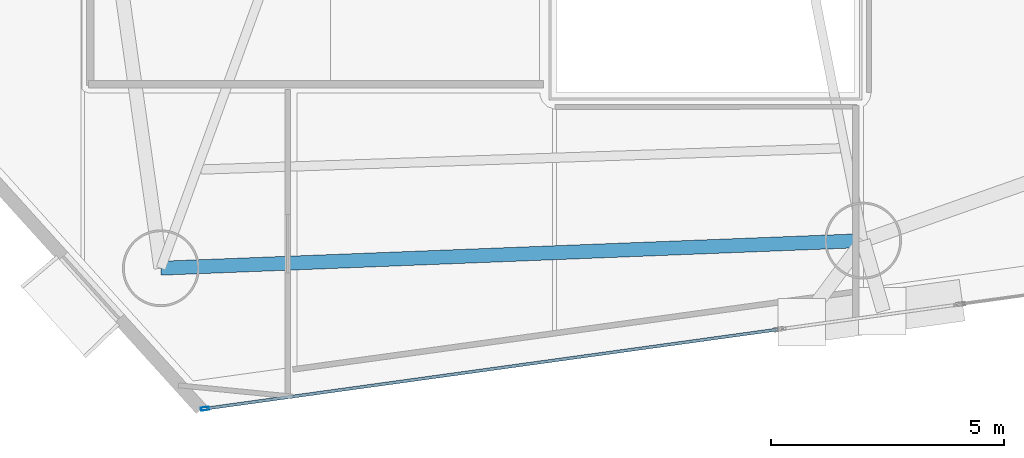
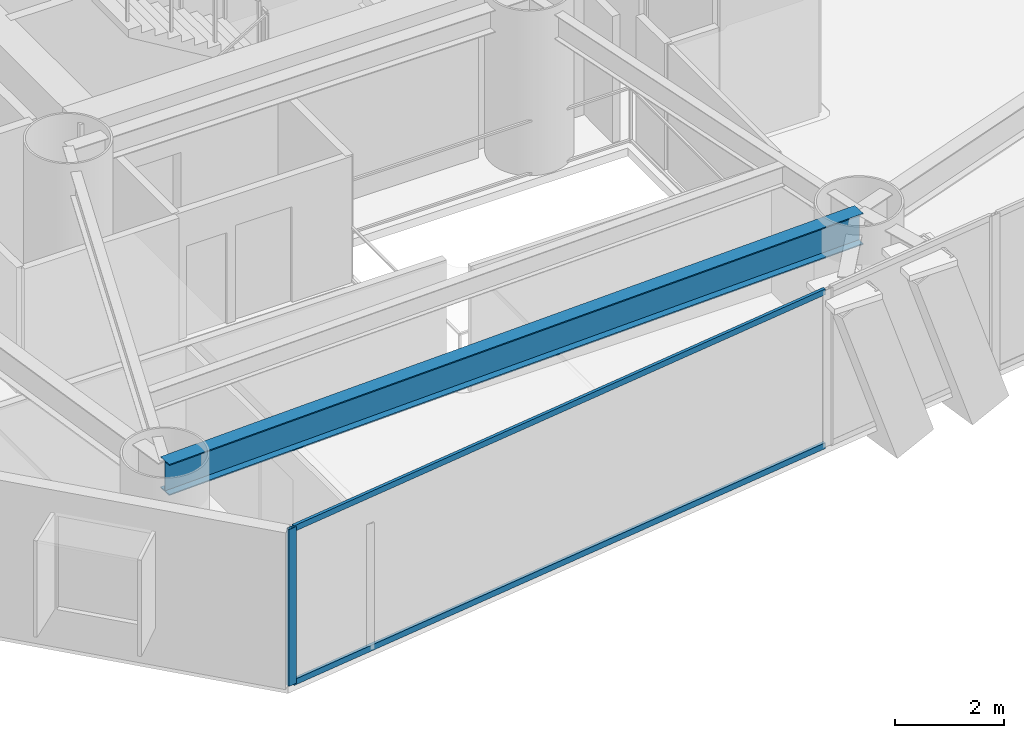
# One storey, part 2 of 23: 3 members, 1 beam, 1 element without a shape of its own.
"""IFC4 building model written with IfcOpenShell, lengths in metres."""

from ifc_helpers import new_model, si_unit, direction, frame, origin, origin_2d, place, context, subcontext, project, spatial, hollow_rectangle, i_section, extrude, material, layer, layer_set, material_profile, profile_set, type_object, element, aggregate, save


model = new_model("IFC4")

# Units and contexts
model_context = context("Model", 3, precision=1e-05, world=origin(), true_north=direction((0.0, 1.0)))
body_context = subcontext(model_context, "Body", "Model", "MODEL_VIEW")
ifc_project = project(units=[si_unit("LENGTHUNIT", "METRE"), si_unit("AREAUNIT", "SQUARE_METRE"), si_unit("VOLUMEUNIT", "CUBIC_METRE"), si_unit("PLANEANGLEUNIT", "RADIAN"), si_unit("MASSUNIT", "GRAM", prefix="KILO")], contexts=[model_context])

# Site, building, storey
site_placement = place(None, origin())
site = spatial("IfcSite", under=ifc_project, at=site_placement, CompositionType="ELEMENT")
building_placement = place(site_placement, origin())
building = spatial("IfcBuilding", under=site, at=building_placement, Name="Qianvela Tower", CompositionType="ELEMENT")
storey_placement = place(building_placement, frame((0.0, 0.0, 74.699951171875)))
storey = spatial("IfcBuildingStorey", under=building, at=storey_placement, Name="L18", CompositionType="ELEMENT", Elevation=74.699951171875)

# Beam
ifc_material_1 = material(Name="Steel Q355B", Category="steel")
ifc_material_profile_1 = material_profile(ifc_material_1, i_section(OverallWidth=0.300048828125, OverallDepth=0.699951171875, WebThickness=0.012939453125, FlangeThickness=0.02392578125, at=origin_2d()), Name="HN700x300x13x24")
ifc_profile_set_1 = profile_set([ifc_material_profile_1], Name="Steel Q355B")
beam_type = type_object("IfcBeamType", Name="BM-HN700-SPAND", PredefinedType="SPANDREL", material=ifc_profile_set_1)
beam_placement = place(storey_placement, frame((25.10009765625, 14.22509765625, 3.16796875), z_axis=(0.999226043345, 0.039335916178, 0.0), x_axis=(-0.039335916178, 0.999226043345, 0.0)))
element("IfcBeam", 1, at=beam_placement, inside=storey, type_object=beam_type, Name="L18 Perimeter Ring Spandrel Girder 5", PredefinedType="SPANDREL", context=body_context, shape_type="SweptSolid", body=[
    extrude(i_section(OverallWidth=0.300048828125, OverallDepth=0.699951171875, WebThickness=0.012939453125, FlangeThickness=0.02392578125, at=origin_2d()), origin(), (0.0, 0.0, 1.0), 15.1005859375),
])

# Curtain wall, members
ifc_material_2 = material(Name="Anodised Architectural Aluminium and Low-E Glass", Category="aluminium")
ifc_layer = layer(ifc_material_2, 0.179931640625)
ifc_layer_set = layer_set([ifc_layer], Name="Anodised Architectural Aluminium and Low-E Glass")
curtain_wall_type = type_object("IfcCurtainWallType", Name="CW-COLIV-Z12", PredefinedType="USERDEFINED", material=ifc_layer_set)
curtain_wall_placement = place(storey_placement, origin())
curtain_wall = element("IfcCurtainWall", 2, at=curtain_wall_placement, inside=storey, type_object=curtain_wall_type, Name="L18 CW-COLIV-Z12 Curtain Wall 06A", ObjectType="CURTAIN_WALL_SYSTEM", PredefinedType="USERDEFINED")
ifc_material_3 = material(Name="Anodised Architectural Aluminium 6063-T6", Category="aluminium")
ifc_material_profile_2 = material_profile(ifc_material_3, hollow_rectangle(XDim=0.070068359375, YDim=0.179931640625, WallThickness=0.0048828125, at=origin_2d()), Name="ALU-MULL-70x180")
ifc_profile_set_2 = profile_set([ifc_material_profile_2], Name="Anodised Architectural Aluminium 6063-T6")
member_type_1 = type_object("IfcMemberType", Name="CW-COLIV-Z12-MULL", PredefinedType="MULLION", material=ifc_profile_set_2)
member_1_placement = place(storey_placement, frame((26.049072265625, 11.207275390625, 0.0), z_axis=(0.0, 0.0, 1.0), x_axis=(-0.136980643219, 0.990573724355, 0.0)))
member_1 = element("IfcMember", 3, at=member_1_placement, type_object=member_type_1, Name="CW-3 mullion 1", PredefinedType="MULLION", context=body_context, shape_type="SweptSolid", body=[
    extrude(hollow_rectangle(XDim=0.070068359375, YDim=0.179931640625, WallThickness=0.0048828125, at=origin_2d()), origin(), (0.0, 0.0, 1.0), 3.52001953125),
])
ifc_material_4 = material(Name="Anodised Architectural Aluminium 6063-T6", Category="aluminium")
ifc_material_profile_3 = material_profile(ifc_material_4, hollow_rectangle(XDim=0.06494140625, YDim=0.1298828125, WallThickness=0.00439453125, at=origin_2d()), Name="ALU-TRAN-65x130")
ifc_profile_set_3 = profile_set([ifc_material_profile_3], Name="Anodised Architectural Aluminium 6063-T6")
member_type_2 = type_object("IfcMemberType", Name="CW-COLIV-Z12-TRAN", PredefinedType="USERDEFINED", material=ifc_profile_set_3)
member_2_placement = place(storey_placement, frame((26.083740234375, 11.212158203125, 0.032470703125), z_axis=(0.990573758445, 0.136980396698, 0.0), x_axis=(-0.136980396698, 0.990573758445, 0.0)))
member_2 = element("IfcMember", 4, at=member_2_placement, type_object=member_type_2, Name="CW-3 transom 1.1", ObjectType="TRANSOM", PredefinedType="USERDEFINED", context=body_context, shape_type="SweptSolid", body=[
    extrude(hollow_rectangle(XDim=0.06494140625, YDim=0.1298828125, WallThickness=0.00439453125, at=origin_2d()), origin(), (0.0, 0.0, 1.0), 12.3798828125),
])
member_3_placement = place(storey_placement, frame((26.083740234375, 11.212158203125, 3.487548828125), z_axis=(0.990573758445, 0.136980396698, 0.0), x_axis=(-0.136980396698, 0.990573758445, 0.0)))
member_3 = element("IfcMember", 5, at=member_3_placement, type_object=member_type_2, Name="CW-3 transom 1.2", ObjectType="TRANSOM", PredefinedType="USERDEFINED", context=body_context, shape_type="SweptSolid", body=[
    extrude(hollow_rectangle(XDim=0.06494140625, YDim=0.1298828125, WallThickness=0.00439453125, at=origin_2d()), origin(), (0.0, 0.0, 1.0), 12.3798828125),
])
aggregate(curtain_wall, [member_1, member_2, member_3])

save(model, "model.ifc")
